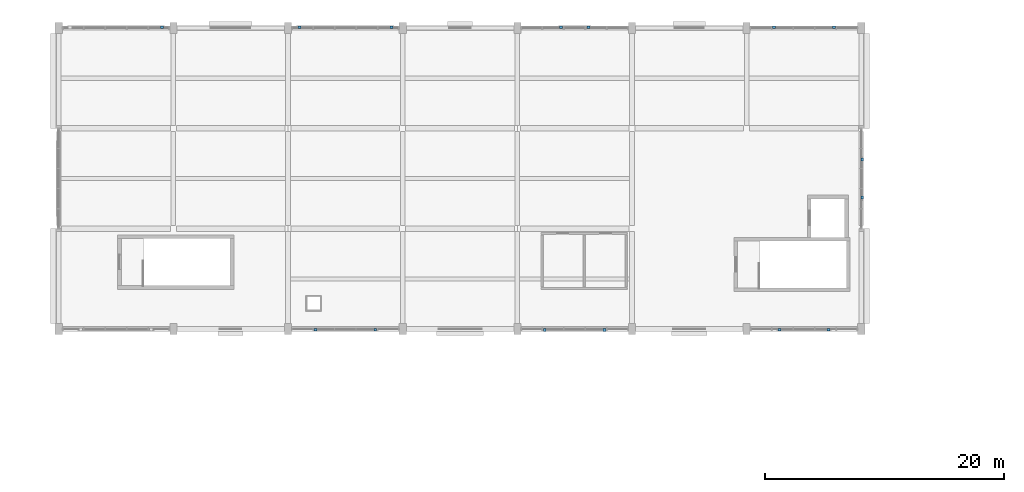
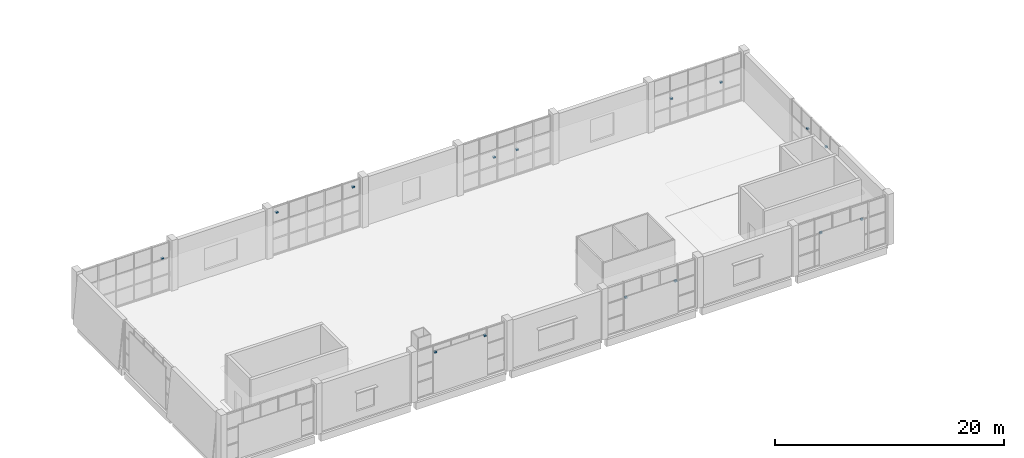
# One storey, part 48 of 57: 15 discrete accessories.
"""IFC4 building model written with IfcOpenShell, lengths in metres."""

from ifc_helpers import new_model, si_unit, direction, frame, origin, origin_2d, place, context, subcontext, project, spatial, rectangle, extrude, material, type_object, element, save


model = new_model("IFC4")

# Units and contexts
model_context = context("Model", 3, precision=1e-05, world=origin(), true_north=direction((0.0, 1.0)))
body_context = subcontext(model_context, "Body", "Model", "MODEL_VIEW")
ifc_project = project(units=[si_unit("LENGTHUNIT", "METRE"), si_unit("AREAUNIT", "SQUARE_METRE"), si_unit("VOLUMEUNIT", "CUBIC_METRE"), si_unit("PLANEANGLEUNIT", "RADIAN"), si_unit("MASSUNIT", "GRAM", prefix="KILO")], contexts=[model_context])

# Site, building, storey
site_placement = place(None, origin())
site = spatial("IfcSite", under=ifc_project, at=site_placement, CompositionType="ELEMENT")
building_placement = place(site_placement, origin())
building = spatial("IfcBuilding", under=site, at=building_placement, Name="Shalvenor Court Art Gallery", CompositionType="ELEMENT")
storey_placement = place(building_placement, frame((0.0, 0.0, 16.800048828125)))
storey = spatial("IfcBuildingStorey", under=building, at=storey_placement, Name="L03", CompositionType="ELEMENT", Elevation=16.800048828125)

# Discrete accessories
ifc_material = material(Name="Stainless steel anchor bracket", Category="steel")
discrete_accessory_type = type_object("IfcDiscreteAccessoryType", Name="BRK-01", PredefinedType="BRACKET", material=ifc_material)
for number, where, z_axis, x_axis, name in (
    (1, (66.25, 122.4677734375, 3.3701171875), (0.0, 0.0, 1.0), (1.0, 0.0, 0.0), "L03 Lattice Anchor Bracket 134"),
    (2, (77.75, 122.472900390625, 4.27001953125), (0.0, 0.0, 1.0), (1.0, 0.0, 0.0), "L03 Lattice Anchor Bracket 135"),
    (3, (85.449951171875, 122.472900390625, 4.27001953125), (0.0, 0.0, 1.0), (1.0, 0.0, 0.0), "L03 Lattice Anchor Bracket 136"),
    (4, (99.64990234375, 122.475341796875, 2.47021484375), (0.0, 0.0, 1.0), (1.0, 0.0, 0.0), "L03 Lattice Anchor Bracket 137"),
    (5, (101.949951171875, 122.475341796875, 2.47021484375), (0.0, 0.0, 1.0), (1.0, 0.0, 0.0), "L03 Lattice Anchor Bracket 138"),
    (6, (117.5, 122.455322265625, 2.47021484375), (0.0, 0.0, 1.0), (1.0, 0.0, 0.0), "L03 Lattice Anchor Bracket 139"),
    (7, (122.5, 122.455322265625, 2.47021484375), (0.0, 0.0, 1.0), (1.0, 0.0, 0.0), "L03 Lattice Anchor Bracket 140"),
    (8, (124.866455078125, 111.39990234375, 3.3701171875), (0.0, 0.0, 1.0), (0.0, -1.0, 0.0), "L03 Lattice Anchor Bracket 141"),
    (9, (124.866455078125, 108.199951171875, 3.3701171875), (0.0, 0.0, 1.0), (0.0, -1.0, 0.0), "L03 Lattice Anchor Bracket 142"),
    (10, (122.050048828125, 97.12841796875, 3.3701171875), (0.0, 0.0, 1.0), (-1.0, 0.0, 0.0), "L03 Lattice Anchor Bracket 143"),
    (11, (117.949951171875, 97.12841796875, 3.3701171875), (0.0, 0.0, 1.0), (-1.0, 0.0, 0.0), "L03 Lattice Anchor Bracket 144"),
    (12, (103.300048828125, 97.12353515625, 3.3701171875), (0.0, 0.0, 1.0), (-1.0, 0.0, 0.0), "L03 Lattice Anchor Bracket 145"),
    (13, (98.300048828125, 97.12353515625, 3.3701171875), (0.0, 0.0, 1.0), (-1.0, 0.0, 0.0), "L03 Lattice Anchor Bracket 146"),
    (14, (84.10009765625, 97.1435546875, 4.27001953125), (0.0, 0.0, 1.0), (-1.0, 0.0, 0.0), "L03 Lattice Anchor Bracket 147"),
    (15, (79.10009765625, 97.1435546875, 4.27001953125), (0.0, 0.0, 1.0), (-1.0, 0.0, 0.0), "L03 Lattice Anchor Bracket 148"),
):
    element("IfcDiscreteAccessory", number, at=place(storey_placement, frame(where, z_axis=z_axis, x_axis=x_axis)), inside=storey, type_object=discrete_accessory_type, Name=name, PredefinedType="BRACKET", context=body_context, shape_type="SweptSolid", body=[
        extrude(rectangle(XDim=0.239990234375, YDim=0.219970703125, at=origin_2d()), origin(), (0.0, 0.0, 1.0), 0.159912109375),
    ])

save(model, "model.ifc")
